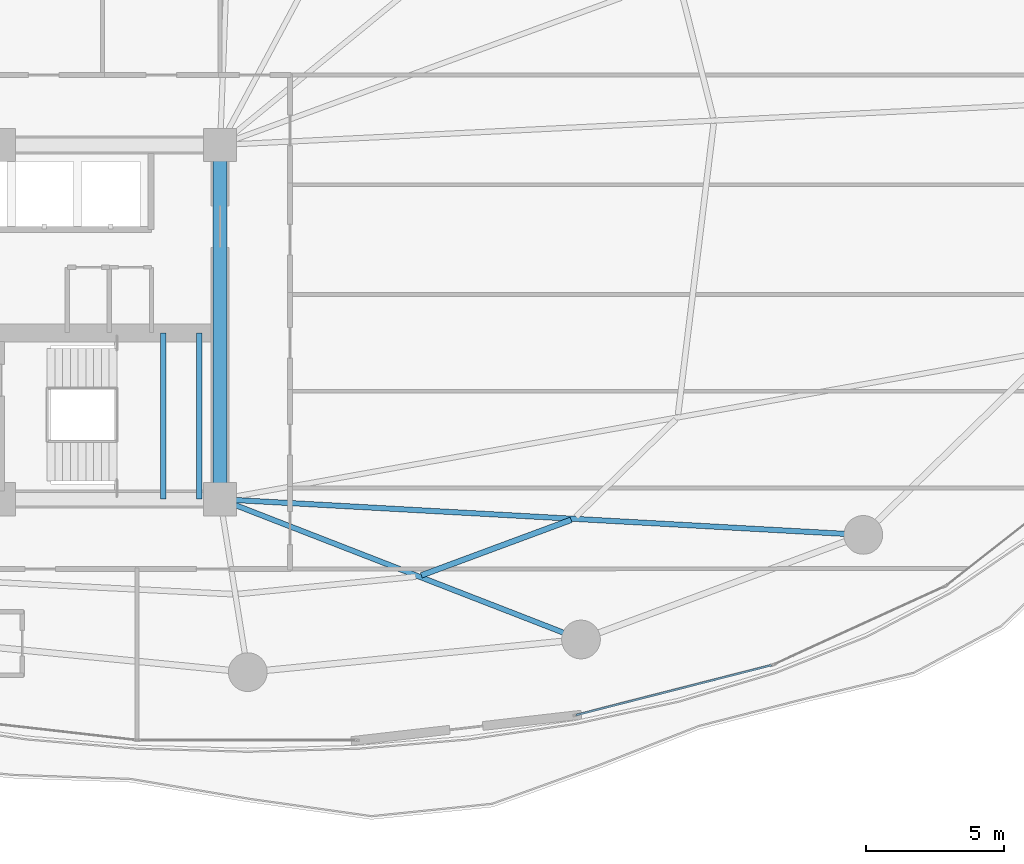
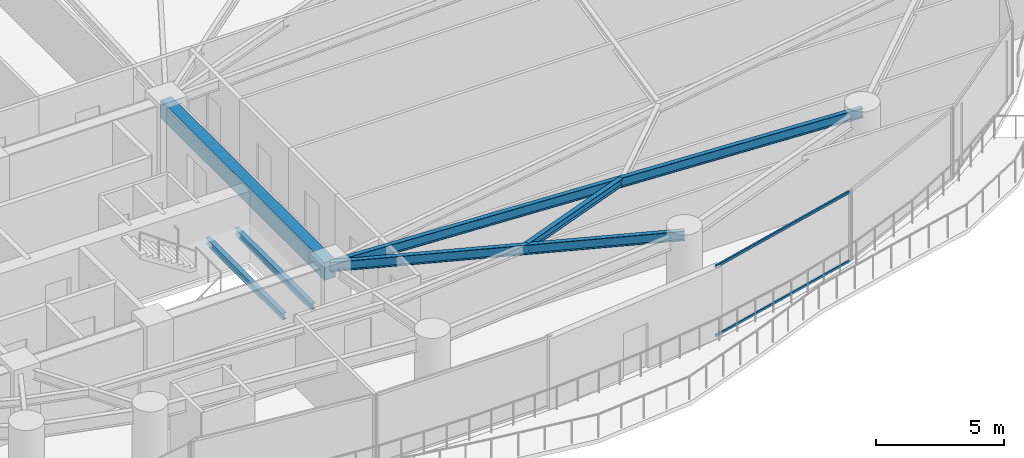
# One storey, part 12 of 33: 6 beams, 2 members, 1 element without a shape of its own.
"""IFC4 building model written with IfcOpenShell, lengths in metres."""

from ifc_helpers import new_model, si_unit, direction, frame, origin, origin_2d, place, context, subcontext, project, spatial, rectangle, hollow_rectangle, i_section, extrude, material, layer, layer_set, material_profile, profile_set, type_object, element, aggregate, save


model = new_model("IFC4")

# Units and contexts
model_context = context("Model", 3, precision=1e-05, world=origin(), true_north=direction((0.0, 1.0)))
body_context = subcontext(model_context, "Body", "Model", "MODEL_VIEW")
ifc_project = project(units=[si_unit("LENGTHUNIT", "METRE"), si_unit("AREAUNIT", "SQUARE_METRE"), si_unit("VOLUMEUNIT", "CUBIC_METRE"), si_unit("PLANEANGLEUNIT", "RADIAN"), si_unit("MASSUNIT", "GRAM", prefix="KILO")], contexts=[model_context])

# Site, building, storey
site_placement = place(None, origin())
site = spatial("IfcSite", under=ifc_project, at=site_placement, CompositionType="ELEMENT")
building_placement = place(site_placement, origin())
building = spatial("IfcBuilding", under=site, at=building_placement, Name="Kazevale Care Tower and Concert Hall", CompositionType="ELEMENT")
storey_placement = place(building_placement, frame((0.0, 0.0, 31.199951171875)))
storey = spatial("IfcBuildingStorey", under=building, at=storey_placement, Name="L07", CompositionType="ELEMENT", Elevation=31.199951171875)

# Curtain wall, members
ifc_material_1 = material(Name="Aluminium 6063-T6 and Low-E Glass", Category="aluminium")
ifc_layer = layer(ifc_material_1, 0.179931640625)
ifc_layer_set = layer_set([ifc_layer], Name="Aluminium 6063-T6 and Low-E Glass")
curtain_wall_type = type_object("IfcCurtainWallType", Name="Sheltered Concave Balcony Curtain Wall CW-5", PredefinedType="NOTDEFINED", material=ifc_layer_set)
curtain_wall_placement = place(storey_placement, origin())
curtain_wall = element("IfcCurtainWall", 1, at=curtain_wall_placement, inside=storey, type_object=curtain_wall_type, Name="cw:L07:f04", PredefinedType="NOTDEFINED")
ifc_material_2 = material(Name="Aluminium 6063-T6", Category="aluminium")
ifc_material_profile_1 = material_profile(ifc_material_2, hollow_rectangle(XDim=0.074951171875, YDim=0.1201171875, WallThickness=0.00390625, at=origin_2d()), Name="ALU75x120x4")
ifc_profile_set_1 = profile_set([ifc_material_profile_1], Name="Aluminium 6063-T6")
member_type = type_object("IfcMemberType", Name="CW-5 Transom ALU75x120x4", PredefinedType="USERDEFINED", material=ifc_profile_set_1)
member_1_placement = place(storey_placement, frame((63.915283203125, 17.599365234375, 0.03759765625), z_axis=(-0.968960816419, -0.24721435283, 0.0), x_axis=(0.24721435283, -0.968960816419, 0.0)))
member_1 = element("IfcMember", 2, at=member_1_placement, type_object=member_type, Name="CW-5 transom 1.1", ObjectType="TRANSOM", PredefinedType="USERDEFINED", context=body_context, shape_type="SweptSolid", body=[
    extrude(hollow_rectangle(XDim=0.074951171875, YDim=0.1201171875, WallThickness=0.00390625, at=origin_2d()), origin(), (0.0, 0.0, 1.0), 7.2763671875),
])
member_2_placement = place(storey_placement, frame((63.915283203125, 17.599365234375, 3.322509765625), z_axis=(-0.968960816419, -0.24721435283, 0.0), x_axis=(0.24721435283, -0.968960816419, 0.0)))
member_2 = element("IfcMember", 3, at=member_2_placement, type_object=member_type, Name="CW-5 transom 1.2", ObjectType="TRANSOM", PredefinedType="USERDEFINED", context=body_context, shape_type="SweptSolid", body=[
    extrude(hollow_rectangle(XDim=0.074951171875, YDim=0.1201171875, WallThickness=0.00390625, at=origin_2d()), origin(), (0.0, 0.0, 1.0), 7.2763671875),
])
aggregate(curtain_wall, [member_1, member_2])

# Beams
ifc_material_3 = material(Name="Concrete C60", Category="concrete")
ifc_material_profile_2 = material_profile(ifc_material_3, rectangle(XDim=0.5, YDim=0.85009765625, at=origin_2d()), Name="RC-B500x850")
ifc_profile_set_2 = profile_set([ifc_material_profile_2], Name="Concrete C60")
beam_type_1 = type_object("IfcBeamType", Name="Core Coupling Beam RC500x850", PredefinedType="LINTEL", material=ifc_profile_set_2)
beam_1_placement = place(storey_placement, frame((44.0, 23.60009765625, 2.93505859375), z_axis=(0.0, 1.0, 0.0), x_axis=(-1.0, 0.0, 0.0)))
element("IfcBeam", 4, at=beam_1_placement, inside=storey, type_object=beam_type_1, Name="beam:L07:coretie:4", PredefinedType="LINTEL", context=body_context, shape_type="SweptSolid", body=[
    extrude(rectangle(XDim=0.5, YDim=0.85009765625, at=origin_2d()), origin(), (0.0, 0.0, 1.0), 12.7998046875),
])
ifc_material_4 = material(Name="Steel ASTM A572 Gr 50", Category="steel")
ifc_material_profile_3 = material_profile(ifc_material_4, i_section(OverallWidth=0.19091796875, OverallDepth=0.4599609375, WebThickness=0.010009765625, FlangeThickness=0.01611328125, at=origin_2d()), Name="W460x82")
ifc_profile_set_3 = profile_set([ifc_material_profile_3], Name="Steel ASTM A572 Gr 50")
beam_type_2 = type_object("IfcBeamType", Name="Radial Floor Beam W460x82", PredefinedType="BEAM", material=ifc_profile_set_3)
beam_2_placement = place(storey_placement, frame((44.0, 23.60009765625, 3.130126953125), z_axis=(0.932030212407, -0.362380577792, 0.0), x_axis=(0.362380577792, 0.932030212407, 0.0)))
element("IfcBeam", 5, at=beam_2_placement, inside=storey, type_object=beam_type_2, Name="beam:L07:rad:14", PredefinedType="BEAM", context=body_context, shape_type="SweptSolid", body=[
    extrude(i_section(OverallWidth=0.19091796875, OverallDepth=0.4599609375, WebThickness=0.010009765625, FlangeThickness=0.01611328125, at=origin_2d()), origin(), (0.0, 0.0, 1.0), 13.990966796875),
])
beam_3_placement = place(storey_placement, frame((44.0, 23.60009765625, 3.130126953125), z_axis=(0.998462901796, -0.055424125948, 0.0), x_axis=(0.055424125948, 0.998462901796, 0.0)))
element("IfcBeam", 6, at=beam_3_placement, inside=storey, type_object=beam_type_2, Name="beam:L07:rad:15", PredefinedType="BEAM", context=body_context, shape_type="SweptSolid", body=[
    extrude(i_section(OverallWidth=0.19091796875, OverallDepth=0.4599609375, WebThickness=0.010009765625, FlangeThickness=0.01611328125, at=origin_2d()), origin(), (0.0, 0.0, 1.0), 23.27587890625),
])
ifc_material_profile_4 = material_profile(ifc_material_4, i_section(OverallWidth=0.205078125, OverallDepth=0.35400390625, WebThickness=0.009521484375, FlangeThickness=0.016845703125, at=origin_2d()), Name="W360x79")
ifc_profile_set_4 = profile_set([ifc_material_profile_4], Name="Steel ASTM A572 Gr 50")
beam_type_3 = type_object("IfcBeamType", Name="Secondary Floor Joist W360x79", PredefinedType="JOIST", material=ifc_profile_set_4)
beam_4_placement = place(storey_placement, frame((51.27001953125, 20.847900390625, 3.18310546875), z_axis=(0.937698254396, 0.347450692477, 0.0), x_axis=(-0.347450692477, 0.937698254396, 0.0)))
element("IfcBeam", 7, at=beam_4_placement, inside=storey, type_object=beam_type_3, Name="beam:L07:joist:14", PredefinedType="JOIST", context=body_context, shape_type="SweptSolid", body=[
    extrude(i_section(OverallWidth=0.205078125, OverallDepth=0.35400390625, WebThickness=0.009521484375, FlangeThickness=0.016845703125, at=origin_2d()), origin(), (0.0, 0.0, 1.0), 5.773681640625),
])
ifc_material_profile_5 = material_profile(ifc_material_4, i_section(OverallWidth=0.202880859375, OverallDepth=0.302978515625, WebThickness=0.007568359375, FlangeThickness=0.01318359375, at=origin_2d()), Name="W310x60")
ifc_profile_set_5 = profile_set([ifc_material_profile_5], Name="Steel ASTM A572 Gr 50")
beam_type_4 = type_object("IfcBeamType", Name="Stair & Balcony Trimmer W310x60", PredefinedType="BEAM", material=ifc_profile_set_5)
for number, where, z_axis, x_axis, name in (
    (8, (41.949951171875, 23.60009765625, 1.448486328125), (0.0, 1.0, 0.0), (-1.0, 0.0, 0.0), "beam:L07:sttrim:ST2"),
    (9, (43.25, 23.60009765625, 1.448486328125), (0.0, 1.0, 0.0), (-1.0, 0.0, 0.0), "beam:L07:sttrim:ST2b"),
):
    element("IfcBeam", number, at=place(storey_placement, frame(where, z_axis=z_axis, x_axis=x_axis)), inside=storey, type_object=beam_type_4, Name=name, PredefinedType="BEAM", context=body_context, shape_type="SweptSolid", body=[
        extrude(i_section(OverallWidth=0.202880859375, OverallDepth=0.302978515625, WebThickness=0.007568359375, FlangeThickness=0.01318359375, at=origin_2d()), origin(), (0.0, 0.0, 1.0), 6.0),
    ])

save(model, "model.ifc")
